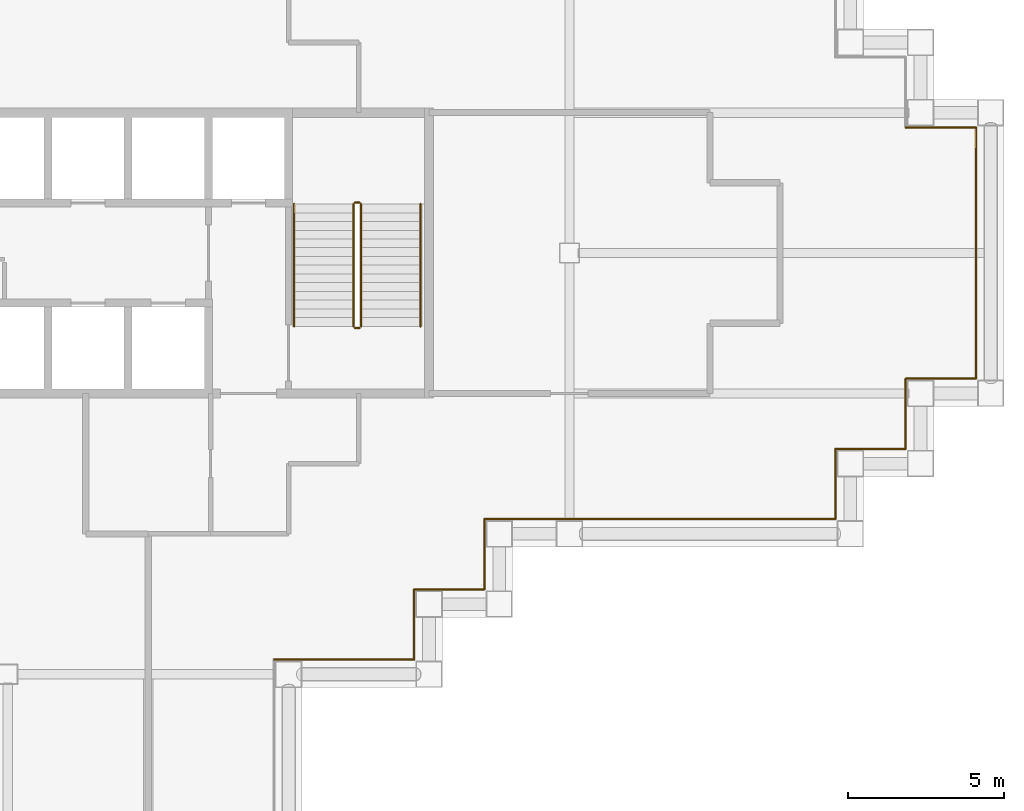
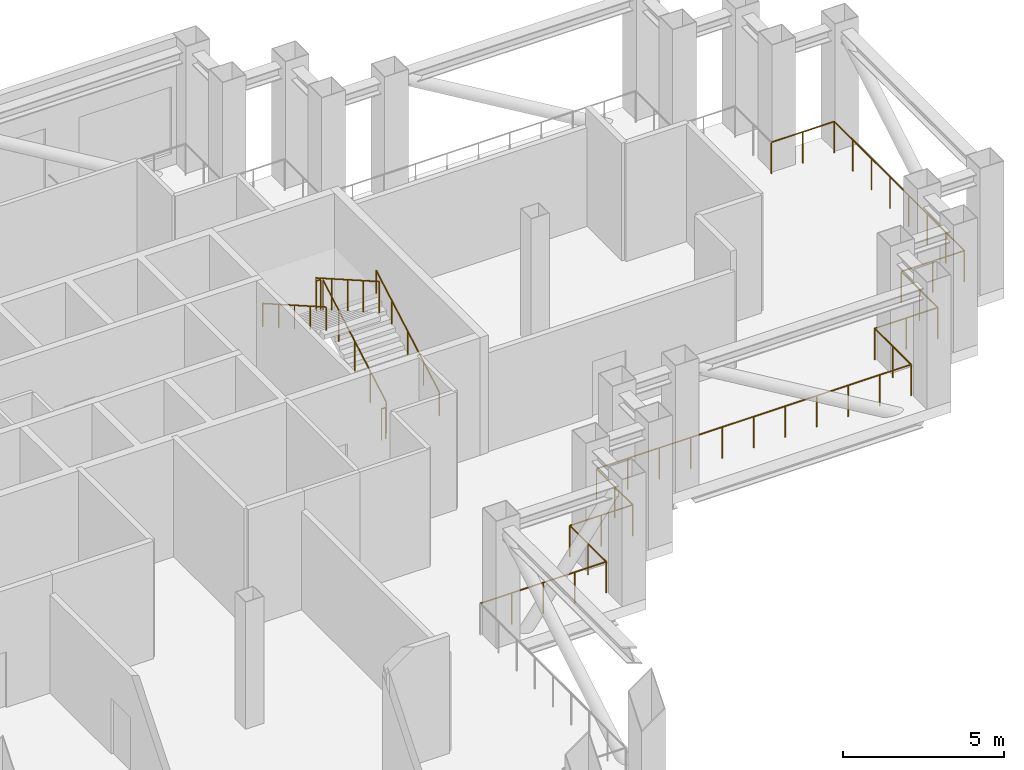
# One storey, part 9 of 10: 17 railings.
"""IFC4 building model written with IfcOpenShell, lengths in metres."""

import ifcopenshell
import ifcopenshell.guid

model = None  # the IFC model being written
_history = None  # IfcOwnerHistory: only IFC2X3 demands one
_inside = {}  # id of a spatial element -> (the spatial element, [elements in it])
_under = {}  # id of a project, library or spatial element -> (it, [spatial elements below it])
_declared = {}  # id of a project -> (the project, [libraries it declares])
_typed = {}  # id of a type object -> (the type object, [elements of that type])
_made_of = {}  # id of a material, layer set ... -> (it, [elements and type objects made of it])


def new_model(schema):
    """Start an empty IFC model of exactly this schema.

    Asked for "IFC4X3", IfcOpenShell would pick the latest addendum, in which some entities
    have other attributes; the version numbers below select the first issue.
    IFC2X3 requires an IfcOwnerHistory on every rooted entity: one is made here for all.
    """
    global model, _history
    if schema == "IFC4X3":
        model = ifcopenshell.file(schema_version=(4, 3, 0, 0))
    else:
        model = ifcopenshell.file(schema=schema)
    _inside.clear()
    _under.clear()
    _declared.clear()
    _typed.clear()
    _made_of.clear()
    _history = None
    if model.schema == "IFC2X3":
        org = make("IfcOrganization", Name="unknown")
        user = make(
            "IfcPersonAndOrganization",
            ThePerson=make("IfcPerson", FamilyName="unknown"),
            TheOrganization=org,
        )
        app = make(
            "IfcApplication",
            ApplicationDeveloper=org,
            Version="unknown",
            ApplicationFullName="unknown",
            ApplicationIdentifier="unknown",
        )
        _history = make(
            "IfcOwnerHistory",
            OwningUser=user,
            OwningApplication=app,
            ChangeAction="ADDED",
            CreationDate=0,
        )
    return model


def make(cls, **values):
    """One entity of the class cls with the attributes given. An attribute that is None is left unset."""
    return model.create_entity(
        cls, **{name: value for name, value in values.items() if value is not None}
    )


def rooted(cls, **values):
    """An entity with a GlobalId (a new one), such as an element, a storey or a relation."""
    return make(cls, GlobalId=ifcopenshell.guid.new(), OwnerHistory=_history, **values)


def si_unit(unit_type, name, prefix=None):
    """IfcSIUnit, for example si_unit("LENGTHUNIT", "METRE", prefix="MILLI")."""
    return make("IfcSIUnit", UnitType=unit_type, Prefix=prefix, Name=name)


def assignment(units):
    """IfcUnitAssignment: the units of a project."""
    return None if units is None else make("IfcUnitAssignment", Units=units)


def point(xyz):
    """IfcCartesianPoint."""
    return None if xyz is None else make("IfcCartesianPoint", Coordinates=xyz)


def direction(xyz):
    """IfcDirection."""
    return None if xyz is None else make("IfcDirection", DirectionRatios=xyz)


def frame(location, z_axis=None, x_axis=None):
    """IfcAxis2Placement3D, a coordinate frame: its origin and axes. An axis left out is left unset."""
    return make(
        "IfcAxis2Placement3D",
        Location=point(location),
        Axis=direction(z_axis),
        RefDirection=direction(x_axis),
    )


def frame_2d(location, x_axis=None):
    """IfcAxis2Placement2D, a coordinate frame in the plane: its origin and x axis."""
    return make(
        "IfcAxis2Placement2D", Location=point(location), RefDirection=direction(x_axis)
    )


def origin():
    """The frame at (0, 0, 0) with its axes left unset."""
    return frame((0.0, 0.0, 0.0))


def origin_2d():
    """The frame at (0, 0) in the plane with its x axis left unset."""
    return frame_2d((0.0, 0.0))


def place(relative_to, where):
    """IfcLocalPlacement: puts the frame where relative to a parent placement (None: the world)."""
    return make(
        "IfcLocalPlacement", PlacementRelTo=relative_to, RelativePlacement=where
    )


def context(
    kind, dimensions, precision=None, world=None, true_north=None, identifier=None
):
    """IfcGeometricRepresentationContext, for example the 3D "Model" context."""
    return make(
        "IfcGeometricRepresentationContext",
        ContextIdentifier=identifier,
        ContextType=kind,
        CoordinateSpaceDimension=dimensions,
        Precision=precision,
        WorldCoordinateSystem=world,
        TrueNorth=true_north,
    )


def subcontext(parent, identifier, kind, view, scale=None):
    """IfcGeometricRepresentationSubContext, for example "Body" below "Model"."""
    return make(
        "IfcGeometricRepresentationSubContext",
        ContextIdentifier=identifier,
        ContextType=kind,
        ParentContext=parent,
        TargetScale=scale,
        TargetView=view,
    )


def project(units=None, contexts=None):
    """IfcProject with its units and contexts."""
    return rooted(
        "IfcProject",
        Name="project",
        RepresentationContexts=contexts,
        UnitsInContext=assignment(units),
    )


def spatial(cls, under=None, at=None, **own):
    """A site, building, storey or space (cls), placed at a placement, below another one or the project."""
    s = rooted(cls, ObjectPlacement=at, **own)
    if under is not None:
        _under.setdefault(under.id(), (under, []))[1].append(s)
    return s


def profile(cls, at=None, kind="AREA", **sizes):
    """A parametric profile (cls). Its sizes go by their IFC names, for example OverallWidth=200.0."""
    return make(cls, ProfileType=kind, Position=at, **sizes)


def circle(**sizes):
    """IfcCircleProfileDef."""
    return profile("IfcCircleProfileDef", **sizes)


def extrude(swept, where, along, depth):
    """IfcExtrudedAreaSolid: the profile swept, set in the frame where, extruded along a direction by depth."""
    return make(
        "IfcExtrudedAreaSolid",
        SweptArea=swept,
        Position=where,
        ExtrudedDirection=direction(along),
        Depth=depth,
    )


def shape(context_of_items, identifier, shape_type, items):
    """IfcShapeRepresentation: the items that make up one representation, for example the "Body"."""
    return make(
        "IfcShapeRepresentation",
        ContextOfItems=context_of_items,
        RepresentationIdentifier=identifier,
        RepresentationType=shape_type,
        Items=items,
    )


def material(Name=None, Category=None):
    """IfcMaterial."""
    return make("IfcMaterial", Name=Name, Category=Category)


def made_of(thing, what):
    """Note that an element or type object is made of a material, layer set ...; save() writes the relation."""
    if what is not None:
        _made_of.setdefault(what.id(), (what, []))[1].append(thing)
    return thing


def type_object(cls, material=None, **own):
    """A type object (cls), such as IfcWallType, which elements share."""
    return made_of(rooted(cls, **own), material)


def element(
    cls,
    number,
    at=None,
    inside=None,
    cuts=None,
    type_object=None,
    material=None,
    context=None,
    identifier="Body",
    shape_type=None,
    held_by="IfcProductDefinitionShape",
    body=None,
    shapes=None,
    **own,
):
    """One element of the class cls, such as IfcWall. Its Tag is "e" and its number.

    at: its placement. inside: the storey or other place that contains it. cuts: it is an
    opening in that element (IfcRelVoidsElement). A single representation is given by context,
    identifier, shape_type and body (its items); several are given by shapes. held_by: the class
    of the entity that holds the representations. save() writes the other relations.
    """
    e = rooted(cls, Tag="e%d" % number, ObjectPlacement=at, **own)
    if body is not None:
        shapes = [shape(context, identifier, shape_type, body)]
    if shapes is not None:
        e.Representation = make(held_by, Representations=shapes)
    if inside is not None:
        _inside.setdefault(inside.id(), (inside, []))[1].append(e)
    if cuts is not None:
        rooted(
            "IfcRelVoidsElement", RelatingBuildingElement=cuts, RelatedOpeningElement=e
        )
    if type_object is not None:
        _typed.setdefault(type_object.id(), (type_object, []))[1].append(e)
    return made_of(e, material)


def aggregate(whole, parts):
    """IfcRelAggregates: a whole, such as a stair, and the parts it consists of."""
    return rooted("IfcRelAggregates", RelatingObject=whole, RelatedObjects=parts)


def save(model, path):
    """Write the relations noted so far, then the file.

    IfcRelAggregates (storeys below a building ...), IfcRelContainedInSpatialStructure (elements
    in a storey), IfcRelDefinesByType, IfcRelAssociatesMaterial and IfcRelDeclares: one each for
    every whole, place, type object, material and project.
    """
    for whole, parts in _under.values():
        aggregate(whole, parts)
    for where, things in _inside.values():
        rooted(
            "IfcRelContainedInSpatialStructure",
            RelatedElements=things,
            RelatingStructure=where,
        )
    for kind, things in _typed.values():
        rooted("IfcRelDefinesByType", RelatedObjects=things, RelatingType=kind)
    for what, things in _made_of.values():
        rooted("IfcRelAssociatesMaterial", RelatedObjects=things, RelatingMaterial=what)
    for by, libraries in _declared.values():
        rooted("IfcRelDeclares", RelatingContext=by, RelatedDefinitions=libraries)
    model.write(path)


model = new_model("IFC4")

# Units and contexts
model_context = context("Model", 3, precision=1e-05, world=origin(), true_north=direction((0.0, 1.0)))
body_context = subcontext(model_context, "Body", "Model", "MODEL_VIEW")
ifc_project = project(units=[si_unit("LENGTHUNIT", "METRE"), si_unit("AREAUNIT", "SQUARE_METRE"), si_unit("VOLUMEUNIT", "CUBIC_METRE"), si_unit("PLANEANGLEUNIT", "RADIAN"), si_unit("MASSUNIT", "GRAM", prefix="KILO")], contexts=[model_context])

# Site, building, storey
site_placement = place(None, origin())
site = spatial("IfcSite", under=ifc_project, at=site_placement, CompositionType="ELEMENT")
building_placement = place(site_placement, origin())
building = spatial("IfcBuilding", under=site, at=building_placement, Name="Caravel Reach Hotel and Residences", CompositionType="ELEMENT")
storey_placement = place(building_placement, frame((0.0, 0.0, 140.39990234375)))
storey = spatial("IfcBuildingStorey", under=building, at=storey_placement, Name="L35", CompositionType="ELEMENT", Elevation=140.39990234375)

# Railings
ifc_material_1 = material(Name="Stainless steel S30408", Category="steel")
railing_type_1 = type_object("IfcRailingType", Name="G1 Guard 1200 stainless", PredefinedType="GUARDRAIL", material=ifc_material_1)
railing_1_placement = place(storey_placement, frame((40.02490234375, 13.97509765625, 0.0)))
element("IfcRailing", 1, at=railing_1_placement, inside=storey, type_object=railing_type_1, Name="Guard L35 1 run 43", PredefinedType="GUARDRAIL", context=body_context, shape_type="SweptSolid", body=[
    extrude(circle(Radius=0.02392578125, at=origin_2d()), frame((0.0, 0.0, 1.17578125), z_axis=(1.0, 0.0, 0.0), x_axis=(0.0, 1.0, 0.0)), (0.0, 0.0, 1.0), 4.5),
    extrude(circle(Radius=0.02099609375, at=origin_2d()), frame((1.125, 0.0, 0.0)), (0.0, 0.0, 1.0), 1.15185546875),
    extrude(circle(Radius=0.02099609375, at=origin_2d()), frame((2.25, 0.0, 0.0)), (0.0, 0.0, 1.0), 1.15185546875),
    extrude(circle(Radius=0.02099609375, at=origin_2d()), frame((3.375, 0.0, 0.0)), (0.0, 0.0, 1.0), 1.15185546875),
    extrude(circle(Radius=0.02099609375, at=origin_2d()), frame((4.5, 0.0, 0.0)), (0.0, 0.0, 1.0), 1.15185546875),
])
railing_2_placement = place(storey_placement, frame((44.52490234375, 13.97509765625, 0.0)))
element("IfcRailing", 2, at=railing_2_placement, inside=storey, type_object=railing_type_1, Name="Guard L35 1 run 44", PredefinedType="GUARDRAIL", context=body_context, shape_type="SweptSolid", body=[
    extrude(circle(Radius=0.02392578125, at=origin_2d()), frame((0.0, 0.0, 1.17578125), z_axis=(0.0, 1.0, 0.0), x_axis=(-1.0, 0.0, 0.0)), (0.0, 0.0, 1.0), 2.25),
    extrude(circle(Radius=0.02099609375, at=origin_2d()), frame((0.0, 1.125, 0.0)), (0.0, 0.0, 1.0), 1.15185546875),
    extrude(circle(Radius=0.02099609375, at=origin_2d()), frame((0.0, 2.25, 0.0)), (0.0, 0.0, 1.0), 1.15185546875),
])
railing_3_placement = place(storey_placement, frame((44.52490234375, 16.22509765625, 0.0)))
element("IfcRailing", 3, at=railing_3_placement, inside=storey, type_object=railing_type_1, Name="Guard L35 1 run 45", PredefinedType="GUARDRAIL", context=body_context, shape_type="SweptSolid", body=[
    extrude(circle(Radius=0.02392578125, at=origin_2d()), frame((0.0, 0.0, 1.17578125), z_axis=(1.0, 0.0, 0.0), x_axis=(0.0, 1.0, 0.0)), (0.0, 0.0, 1.0), 2.25),
    extrude(circle(Radius=0.02099609375, at=origin_2d()), frame((1.125, 0.0, 0.0)), (0.0, 0.0, 1.0), 1.15185546875),
    extrude(circle(Radius=0.02099609375, at=origin_2d()), frame((2.25, 0.0, 0.0)), (0.0, 0.0, 1.0), 1.15185546875),
])
railing_4_placement = place(storey_placement, frame((46.77490234375, 16.22509765625, 0.0)))
element("IfcRailing", 4, at=railing_4_placement, inside=storey, type_object=railing_type_1, Name="Guard L35 1 run 46", PredefinedType="GUARDRAIL", context=body_context, shape_type="SweptSolid", body=[
    extrude(circle(Radius=0.02392578125, at=origin_2d()), frame((0.0, 0.0, 1.17578125), z_axis=(0.0, 1.0, 0.0), x_axis=(-1.0, 0.0, 0.0)), (0.0, 0.0, 1.0), 2.25),
    extrude(circle(Radius=0.02099609375, at=origin_2d()), frame((0.0, 1.125, 0.0)), (0.0, 0.0, 1.0), 1.15185546875),
    extrude(circle(Radius=0.02099609375, at=origin_2d()), frame((0.0, 2.25, 0.0)), (0.0, 0.0, 1.0), 1.15185546875),
])
railing_5_placement = place(storey_placement, frame((46.77490234375, 18.47509765625, 0.0)))
element("IfcRailing", 5, at=railing_5_placement, inside=storey, type_object=railing_type_1, Name="Guard L35 1 run 47", PredefinedType="GUARDRAIL", context=body_context, shape_type="SweptSolid", body=[
    extrude(circle(Radius=0.02392578125, at=origin_2d()), frame((0.0, 0.0, 1.17578125), z_axis=(1.0, 0.0, 0.0), x_axis=(0.0, 1.0, 0.0)), (0.0, 0.0, 1.0), 11.25),
    extrude(circle(Radius=0.02099609375, at=origin_2d()), frame((1.125, 0.0, 0.0)), (0.0, 0.0, 1.0), 1.15185546875),
    extrude(circle(Radius=0.02099609375, at=origin_2d()), frame((2.25, 0.0, 0.0)), (0.0, 0.0, 1.0), 1.15185546875),
    extrude(circle(Radius=0.02099609375, at=origin_2d()), frame((3.375, 0.0, 0.0)), (0.0, 0.0, 1.0), 1.15185546875),
    extrude(circle(Radius=0.02099609375, at=origin_2d()), frame((4.5, 0.0, 0.0)), (0.0, 0.0, 1.0), 1.15185546875),
    extrude(circle(Radius=0.02099609375, at=origin_2d()), frame((5.625, 0.0, 0.0)), (0.0, 0.0, 1.0), 1.15185546875),
    extrude(circle(Radius=0.02099609375, at=origin_2d()), frame((6.75, 0.0, 0.0)), (0.0, 0.0, 1.0), 1.15185546875),
    extrude(circle(Radius=0.02099609375, at=origin_2d()), frame((7.875, 0.0, 0.0)), (0.0, 0.0, 1.0), 1.15185546875),
    extrude(circle(Radius=0.02099609375, at=origin_2d()), frame((9.0, 0.0, 0.0)), (0.0, 0.0, 1.0), 1.15185546875),
    extrude(circle(Radius=0.02099609375, at=origin_2d()), frame((10.125, 0.0, 0.0)), (0.0, 0.0, 1.0), 1.15185546875),
    extrude(circle(Radius=0.02099609375, at=origin_2d()), frame((11.25, 0.0, 0.0)), (0.0, 0.0, 1.0), 1.15185546875),
])
railing_6_placement = place(storey_placement, frame((58.02490234375, 18.47509765625, 0.0)))
element("IfcRailing", 6, at=railing_6_placement, inside=storey, type_object=railing_type_1, Name="Guard L35 1 run 48", PredefinedType="GUARDRAIL", context=body_context, shape_type="SweptSolid", body=[
    extrude(circle(Radius=0.02392578125, at=origin_2d()), frame((0.0, 0.0, 1.17578125), z_axis=(0.0, 1.0, 0.0), x_axis=(-1.0, 0.0, 0.0)), (0.0, 0.0, 1.0), 2.25),
    extrude(circle(Radius=0.02099609375, at=origin_2d()), frame((0.0, 1.125, 0.0)), (0.0, 0.0, 1.0), 1.15185546875),
    extrude(circle(Radius=0.02099609375, at=origin_2d()), frame((0.0, 2.25, 0.0)), (0.0, 0.0, 1.0), 1.15185546875),
])
railing_7_placement = place(storey_placement, frame((58.02490234375, 20.72509765625, 0.0)))
element("IfcRailing", 7, at=railing_7_placement, inside=storey, type_object=railing_type_1, Name="Guard L35 1 run 49", PredefinedType="GUARDRAIL", context=body_context, shape_type="SweptSolid", body=[
    extrude(circle(Radius=0.02392578125, at=origin_2d()), frame((0.0, 0.0, 1.17578125), z_axis=(1.0, 0.0, 0.0), x_axis=(0.0, 1.0, 0.0)), (0.0, 0.0, 1.0), 2.25),
    extrude(circle(Radius=0.02099609375, at=origin_2d()), frame((1.125, 0.0, 0.0)), (0.0, 0.0, 1.0), 1.15185546875),
    extrude(circle(Radius=0.02099609375, at=origin_2d()), frame((2.25, 0.0, 0.0)), (0.0, 0.0, 1.0), 1.15185546875),
])
railing_8_placement = place(storey_placement, frame((60.27490234375, 20.72509765625, 0.0)))
element("IfcRailing", 8, at=railing_8_placement, inside=storey, type_object=railing_type_1, Name="Guard L35 1 run 50", PredefinedType="GUARDRAIL", context=body_context, shape_type="SweptSolid", body=[
    extrude(circle(Radius=0.02392578125, at=origin_2d()), frame((0.0, 0.0, 1.17578125), z_axis=(0.0, 1.0, 0.0), x_axis=(-1.0, 0.0, 0.0)), (0.0, 0.0, 1.0), 2.25),
    extrude(circle(Radius=0.02099609375, at=origin_2d()), frame((0.0, 1.125, 0.0)), (0.0, 0.0, 1.0), 1.15185546875),
    extrude(circle(Radius=0.02099609375, at=origin_2d()), frame((0.0, 2.25, 0.0)), (0.0, 0.0, 1.0), 1.15185546875),
])
railing_9_placement = place(storey_placement, frame((60.27490234375, 22.97509765625, 0.0)))
element("IfcRailing", 9, at=railing_9_placement, inside=storey, type_object=railing_type_1, Name="Guard L35 1 run 51", PredefinedType="GUARDRAIL", context=body_context, shape_type="SweptSolid", body=[
    extrude(circle(Radius=0.02392578125, at=origin_2d()), frame((0.0, 0.0, 1.17578125), z_axis=(1.0, 0.0, 0.0), x_axis=(0.0, 1.0, 0.0)), (0.0, 0.0, 1.0), 2.25),
    extrude(circle(Radius=0.02099609375, at=origin_2d()), frame((1.125, 0.0, 0.0)), (0.0, 0.0, 1.0), 1.15185546875),
    extrude(circle(Radius=0.02099609375, at=origin_2d()), frame((2.25, 0.0, 0.0)), (0.0, 0.0, 1.0), 1.15185546875),
])
railing_10_placement = place(storey_placement, frame((62.52490234375, 22.97509765625, 0.0)))
element("IfcRailing", 10, at=railing_10_placement, inside=storey, type_object=railing_type_1, Name="Guard L35 1 run 52", PredefinedType="GUARDRAIL", context=body_context, shape_type="SweptSolid", body=[
    extrude(circle(Radius=0.02392578125, at=origin_2d()), frame((0.0, 0.0, 1.17578125), z_axis=(0.0, 1.0, 0.0), x_axis=(-1.0, 0.0, 0.0)), (0.0, 0.0, 1.0), 8.0498046875),
    extrude(circle(Radius=0.02099609375, at=origin_2d()), frame((0.0, 1.14990234375, 0.0)), (0.0, 0.0, 1.0), 1.15185546875),
    extrude(circle(Radius=0.02099609375, at=origin_2d()), frame((0.0, 2.300048828125, 0.0)), (0.0, 0.0, 1.0), 1.15185546875),
    extrude(circle(Radius=0.02099609375, at=origin_2d()), frame((0.0, 3.449951171875, 0.0)), (0.0, 0.0, 1.0), 1.15185546875),
    extrude(circle(Radius=0.02099609375, at=origin_2d()), frame((0.0, 4.599853515625, 0.0)), (0.0, 0.0, 1.0), 1.15185546875),
    extrude(circle(Radius=0.02099609375, at=origin_2d()), frame((0.0, 5.749755859375, 0.0)), (0.0, 0.0, 1.0), 1.15185546875),
    extrude(circle(Radius=0.02099609375, at=origin_2d()), frame((0.0, 6.89990234375, 0.0)), (0.0, 0.0, 1.0), 1.15185546875),
    extrude(circle(Radius=0.02099609375, at=origin_2d()), frame((0.0, 8.0498046875, 0.0)), (0.0, 0.0, 1.0), 1.15185546875),
])
railing_11_placement = place(storey_placement, frame((62.52490234375, 31.02490234375, 0.0)))
element("IfcRailing", 11, at=railing_11_placement, inside=storey, type_object=railing_type_1, Name="Guard L35 1 run 53", PredefinedType="GUARDRAIL", context=body_context, shape_type="SweptSolid", body=[
    extrude(circle(Radius=0.02392578125, at=origin_2d()), frame((0.0, 0.0, 1.17578125), z_axis=(-1.0, 0.0, 0.0), x_axis=(0.0, -1.0, 0.0)), (0.0, 0.0, 1.0), 2.25),
    extrude(circle(Radius=0.02099609375, at=origin_2d()), frame((-1.125, 0.0, 0.0)), (0.0, 0.0, 1.0), 1.15185546875),
    extrude(circle(Radius=0.02099609375, at=origin_2d()), frame((-2.25, 0.0, 0.0)), (0.0, 0.0, 1.0), 1.15185546875),
])
ifc_material_2 = material(Name="Steel balustrade with glass infill", Category="steel")
railing_type_2 = type_object("IfcRailingType", Name="Guard 1200", PredefinedType="GUARDRAIL", material=ifc_material_2)
railing_12_placement = place(storey_placement, frame((42.824951171875, 24.64990234375, 0.16015625)))
element("IfcRailing", 12, at=railing_12_placement, inside=storey, type_object=railing_type_2, Name="L35 ST-B stair guard 1", PredefinedType="GUARDRAIL", context=body_context, shape_type="SweptSolid", body=[
    extrude(circle(Radius=0.02392578125, at=origin_2d()), frame((0.0, 0.0, 1.17578125), z_axis=(0.0, 0.86825312469, 0.496121468458), x_axis=(-1.0, 0.0, 0.0)), (0.0, 0.0, 1.0), 4.514892578125),
    extrude(circle(Radius=0.02099609375, at=origin_2d()), origin(), (0.0, 0.0, 1.0), 1.15185546875),
    extrude(circle(Radius=0.02099609375, at=origin_2d()), frame((0.0, 0.97998046875, 0.56005859375)), (0.0, 0.0, 1.0), 1.15185546875),
    extrude(circle(Radius=0.02099609375, at=origin_2d()), frame((0.0, 1.9599609375, 1.1201171875)), (0.0, 0.0, 1.0), 1.15185546875),
    extrude(circle(Radius=0.02099609375, at=origin_2d()), frame((0.0, 2.940185546875, 1.679931640625)), (0.0, 0.0, 1.0), 1.15185546875),
    extrude(circle(Radius=0.02099609375, at=origin_2d()), frame((0.0, 3.920166015625, 2.239990234375)), (0.0, 0.0, 1.0), 1.15185546875),
])
railing_13_placement = place(storey_placement, frame((42.77490234375, 28.6201171875, 2.400146484375)))
element("IfcRailing", 13, at=railing_13_placement, inside=storey, type_object=railing_type_2, Name="L35 ST-B stair guard 2", PredefinedType="GUARDRAIL", context=body_context, shape_type="SweptSolid", body=[
    extrude(circle(Radius=0.02392578125, at=origin_2d()), frame((0.0, 0.0, 1.17578125), z_axis=(-1.0, 0.0, 0.0), x_axis=(0.0, -1.0, 0.0)), (0.0, 0.0, 1.0), 0.14990234375),
    extrude(circle(Radius=0.02099609375, at=origin_2d()), origin(), (0.0, 0.0, 1.0), 1.15185546875),
    extrude(circle(Radius=0.02099609375, at=origin_2d()), frame((-0.14990234375, 0.0, 0.0)), (0.0, 0.0, 1.0), 1.15185546875),
])
railing_14_placement = place(storey_placement, frame((42.574951171875, 28.570068359375, 2.56005859375)))
element("IfcRailing", 14, at=railing_14_placement, inside=storey, type_object=railing_type_2, Name="L35 ST-B stair guard 3", PredefinedType="GUARDRAIL", context=body_context, shape_type="SweptSolid", body=[
    extrude(circle(Radius=0.02392578125, at=origin_2d()), frame((0.0, 0.0, 1.17578125), z_axis=(0.0, -0.86825312469, 0.496121468458), x_axis=(1.0, 0.0, 0.0)), (0.0, 0.0, 1.0), 4.514892578125),
    extrude(circle(Radius=0.02099609375, at=origin_2d()), origin(), (0.0, 0.0, 1.0), 1.15185546875),
    extrude(circle(Radius=0.02099609375, at=origin_2d()), frame((0.0, -0.97998046875, 0.56005859375)), (0.0, 0.0, 1.0), 1.15185546875),
    extrude(circle(Radius=0.02099609375, at=origin_2d()), frame((0.0, -1.9599609375, 1.1201171875)), (0.0, 0.0, 1.0), 1.15185546875),
    extrude(circle(Radius=0.02099609375, at=origin_2d()), frame((0.0, -2.940185546875, 1.679931640625)), (0.0, 0.0, 1.0), 1.15185546875),
    extrude(circle(Radius=0.02099609375, at=origin_2d()), frame((0.0, -3.920166015625, 2.239990234375)), (0.0, 0.0, 1.0), 1.15185546875),
])
railing_15_placement = place(storey_placement, frame((42.77490234375, 24.60009765625, 0.0)))
element("IfcRailing", 15, at=railing_15_placement, inside=storey, type_object=railing_type_2, Name="L35 ST-B stair guard 4", PredefinedType="GUARDRAIL", context=body_context, shape_type="SweptSolid", body=[
    extrude(circle(Radius=0.02392578125, at=origin_2d()), frame((0.0, 0.0, 1.17578125), z_axis=(-1.0, 0.0, 0.0), x_axis=(0.0, -1.0, 0.0)), (0.0, 0.0, 1.0), 0.14990234375),
    extrude(circle(Radius=0.02099609375, at=origin_2d()), origin(), (0.0, 0.0, 1.0), 1.15185546875),
    extrude(circle(Radius=0.02099609375, at=origin_2d()), frame((-0.14990234375, 0.0, 0.0)), (0.0, 0.0, 1.0), 1.15185546875),
])
ifc_material_3 = material(Name="Stainless steel handrail", Category="steel")
railing_type_3 = type_object("IfcRailingType", Name="Handrail 900", PredefinedType="HANDRAIL", material=ifc_material_3)
railing_16_placement = place(storey_placement, frame((44.72509765625, 24.64990234375, 0.16015625)))
element("IfcRailing", 16, at=railing_16_placement, inside=storey, type_object=railing_type_3, Name="L35 ST-B stair handrail 1", PredefinedType="HANDRAIL", context=body_context, shape_type="SweptSolid", body=[
    extrude(circle(Radius=0.02392578125, at=origin_2d()), frame((0.0, 0.0, 0.8759765625), z_axis=(0.0, 0.86825312469, 0.496121468458), x_axis=(-1.0, 0.0, 0.0)), (0.0, 0.0, 1.0), 4.514892578125),
    extrude(circle(Radius=0.02099609375, at=origin_2d()), origin(), (0.0, 0.0, 1.0), 0.851806640625),
    extrude(circle(Radius=0.02099609375, at=origin_2d()), frame((0.0, 0.97998046875, 0.56005859375)), (0.0, 0.0, 1.0), 0.851806640625),
    extrude(circle(Radius=0.02099609375, at=origin_2d()), frame((0.0, 1.9599609375, 1.1201171875)), (0.0, 0.0, 1.0), 0.851806640625),
    extrude(circle(Radius=0.02099609375, at=origin_2d()), frame((0.0, 2.940185546875, 1.679931640625)), (0.0, 0.0, 1.0), 0.851806640625),
    extrude(circle(Radius=0.02099609375, at=origin_2d()), frame((0.0, 3.920166015625, 2.239990234375)), (0.0, 0.0, 1.0), 0.851806640625),
])
railing_17_placement = place(storey_placement, frame((40.675048828125, 28.570068359375, 2.56005859375)))
element("IfcRailing", 17, at=railing_17_placement, inside=storey, type_object=railing_type_3, Name="L35 ST-B stair handrail 2", PredefinedType="HANDRAIL", context=body_context, shape_type="SweptSolid", body=[
    extrude(circle(Radius=0.02392578125, at=origin_2d()), frame((0.0, 0.0, 0.8759765625), z_axis=(0.0, -0.86825312469, 0.496121468458), x_axis=(1.0, 0.0, 0.0)), (0.0, 0.0, 1.0), 4.514892578125),
    extrude(circle(Radius=0.02099609375, at=origin_2d()), origin(), (0.0, 0.0, 1.0), 0.851806640625),
    extrude(circle(Radius=0.02099609375, at=origin_2d()), frame((0.0, -0.97998046875, 0.56005859375)), (0.0, 0.0, 1.0), 0.851806640625),
    extrude(circle(Radius=0.02099609375, at=origin_2d()), frame((0.0, -1.9599609375, 1.1201171875)), (0.0, 0.0, 1.0), 0.851806640625),
    extrude(circle(Radius=0.02099609375, at=origin_2d()), frame((0.0, -2.940185546875, 1.679931640625)), (0.0, 0.0, 1.0), 0.851806640625),
    extrude(circle(Radius=0.02099609375, at=origin_2d()), frame((0.0, -3.920166015625, 2.239990234375)), (0.0, 0.0, 1.0), 0.851806640625),
])

save(model, "model.ifc")
